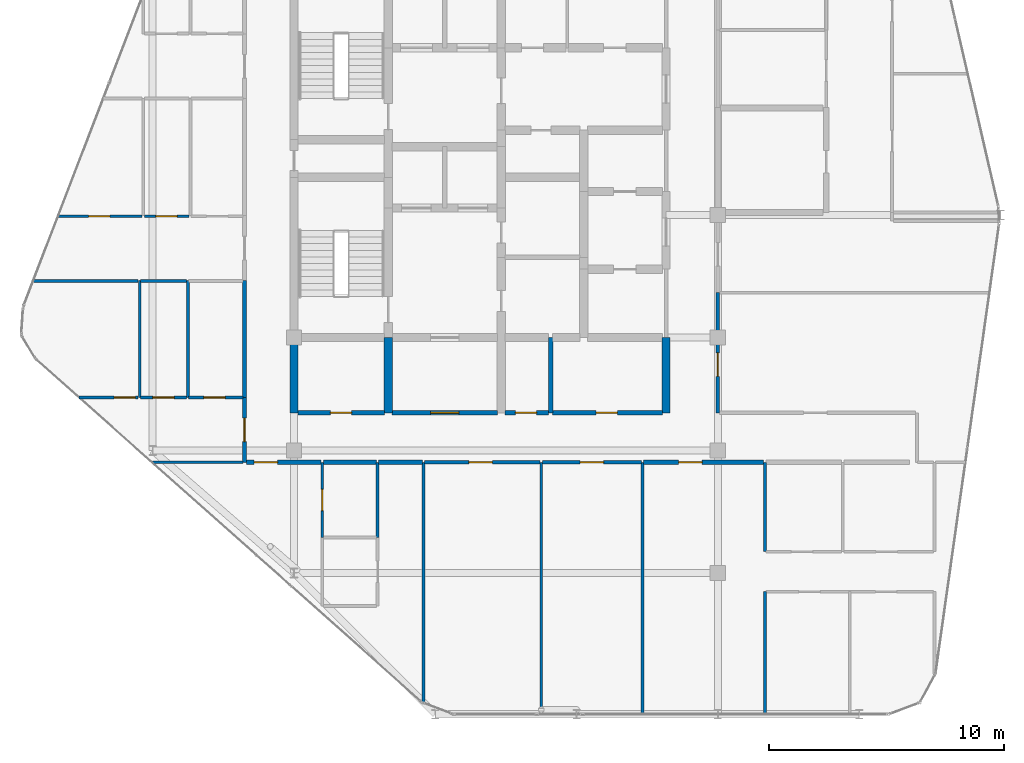
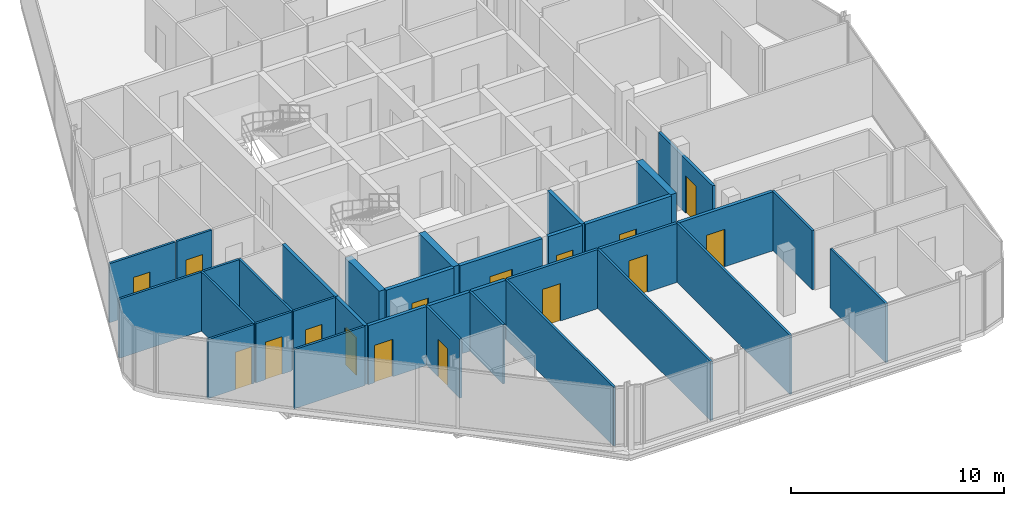
# One storey, part 22 of 27: 34 walls, 16 doors, 16 openings.
"""IFC4 building model written with IfcOpenShell, lengths in metres."""

import ifcopenshell
import ifcopenshell.guid

model = None  # the IFC model being written
_history = None  # IfcOwnerHistory: only IFC2X3 demands one
_inside = {}  # id of a spatial element -> (the spatial element, [elements in it])
_under = {}  # id of a project, library or spatial element -> (it, [spatial elements below it])
_declared = {}  # id of a project -> (the project, [libraries it declares])
_typed = {}  # id of a type object -> (the type object, [elements of that type])
_made_of = {}  # id of a material, layer set ... -> (it, [elements and type objects made of it])


def new_model(schema):
    """Start an empty IFC model of exactly this schema.

    Asked for "IFC4X3", IfcOpenShell would pick the latest addendum, in which some entities
    have other attributes; the version numbers below select the first issue.
    IFC2X3 requires an IfcOwnerHistory on every rooted entity: one is made here for all.
    """
    global model, _history
    if schema == "IFC4X3":
        model = ifcopenshell.file(schema_version=(4, 3, 0, 0))
    else:
        model = ifcopenshell.file(schema=schema)
    _inside.clear()
    _under.clear()
    _declared.clear()
    _typed.clear()
    _made_of.clear()
    _history = None
    if model.schema == "IFC2X3":
        org = make("IfcOrganization", Name="unknown")
        user = make(
            "IfcPersonAndOrganization",
            ThePerson=make("IfcPerson", FamilyName="unknown"),
            TheOrganization=org,
        )
        app = make(
            "IfcApplication",
            ApplicationDeveloper=org,
            Version="unknown",
            ApplicationFullName="unknown",
            ApplicationIdentifier="unknown",
        )
        _history = make(
            "IfcOwnerHistory",
            OwningUser=user,
            OwningApplication=app,
            ChangeAction="ADDED",
            CreationDate=0,
        )
    return model


def make(cls, **values):
    """One entity of the class cls with the attributes given. An attribute that is None is left unset."""
    return model.create_entity(
        cls, **{name: value for name, value in values.items() if value is not None}
    )


def rooted(cls, **values):
    """An entity with a GlobalId (a new one), such as an element, a storey or a relation."""
    return make(cls, GlobalId=ifcopenshell.guid.new(), OwnerHistory=_history, **values)


def si_unit(unit_type, name, prefix=None):
    """IfcSIUnit, for example si_unit("LENGTHUNIT", "METRE", prefix="MILLI")."""
    return make("IfcSIUnit", UnitType=unit_type, Prefix=prefix, Name=name)


def assignment(units):
    """IfcUnitAssignment: the units of a project."""
    return None if units is None else make("IfcUnitAssignment", Units=units)


def point(xyz):
    """IfcCartesianPoint."""
    return None if xyz is None else make("IfcCartesianPoint", Coordinates=xyz)


def direction(xyz):
    """IfcDirection."""
    return None if xyz is None else make("IfcDirection", DirectionRatios=xyz)


def frame(location, z_axis=None, x_axis=None):
    """IfcAxis2Placement3D, a coordinate frame: its origin and axes. An axis left out is left unset."""
    return make(
        "IfcAxis2Placement3D",
        Location=point(location),
        Axis=direction(z_axis),
        RefDirection=direction(x_axis),
    )


def frame_2d(location, x_axis=None):
    """IfcAxis2Placement2D, a coordinate frame in the plane: its origin and x axis."""
    return make(
        "IfcAxis2Placement2D", Location=point(location), RefDirection=direction(x_axis)
    )


def origin():
    """The frame at (0, 0, 0) with its axes left unset."""
    return frame((0.0, 0.0, 0.0))


def place(relative_to, where):
    """IfcLocalPlacement: puts the frame where relative to a parent placement (None: the world)."""
    return make(
        "IfcLocalPlacement", PlacementRelTo=relative_to, RelativePlacement=where
    )


def context(
    kind, dimensions, precision=None, world=None, true_north=None, identifier=None
):
    """IfcGeometricRepresentationContext, for example the 3D "Model" context."""
    return make(
        "IfcGeometricRepresentationContext",
        ContextIdentifier=identifier,
        ContextType=kind,
        CoordinateSpaceDimension=dimensions,
        Precision=precision,
        WorldCoordinateSystem=world,
        TrueNorth=true_north,
    )


def subcontext(parent, identifier, kind, view, scale=None):
    """IfcGeometricRepresentationSubContext, for example "Body" below "Model"."""
    return make(
        "IfcGeometricRepresentationSubContext",
        ContextIdentifier=identifier,
        ContextType=kind,
        ParentContext=parent,
        TargetScale=scale,
        TargetView=view,
    )


def project(units=None, contexts=None):
    """IfcProject with its units and contexts."""
    return rooted(
        "IfcProject",
        Name="project",
        RepresentationContexts=contexts,
        UnitsInContext=assignment(units),
    )


def spatial(cls, under=None, at=None, **own):
    """A site, building, storey or space (cls), placed at a placement, below another one or the project."""
    s = rooted(cls, ObjectPlacement=at, **own)
    if under is not None:
        _under.setdefault(under.id(), (under, []))[1].append(s)
    return s


def profile(cls, at=None, kind="AREA", **sizes):
    """A parametric profile (cls). Its sizes go by their IFC names, for example OverallWidth=200.0."""
    return make(cls, ProfileType=kind, Position=at, **sizes)


def rectangle(**sizes):
    """IfcRectangleProfileDef."""
    return profile("IfcRectangleProfileDef", **sizes)


def extrude(swept, where, along, depth):
    """IfcExtrudedAreaSolid: the profile swept, set in the frame where, extruded along a direction by depth."""
    return make(
        "IfcExtrudedAreaSolid",
        SweptArea=swept,
        Position=where,
        ExtrudedDirection=direction(along),
        Depth=depth,
    )


def shape(context_of_items, identifier, shape_type, items):
    """IfcShapeRepresentation: the items that make up one representation, for example the "Body"."""
    return make(
        "IfcShapeRepresentation",
        ContextOfItems=context_of_items,
        RepresentationIdentifier=identifier,
        RepresentationType=shape_type,
        Items=items,
    )


def material(Name=None, Category=None):
    """IfcMaterial."""
    return make("IfcMaterial", Name=Name, Category=Category)


def layer(
    of_material, thickness, ventilated=None, Name=None, Category=None, Priority=None
):
    """IfcMaterialLayer: one layer of a wall or slab, of a material (None: an air gap)."""
    return make(
        "IfcMaterialLayer",
        Material=of_material,
        LayerThickness=thickness,
        IsVentilated=ventilated,
        Name=Name,
        Category=Category,
        Priority=Priority,
    )


def layer_set(layers, Name=None):
    """IfcMaterialLayerSet."""
    return make("IfcMaterialLayerSet", MaterialLayers=layers, LayerSetName=Name)


def made_of(thing, what):
    """Note that an element or type object is made of a material, layer set ...; save() writes the relation."""
    if what is not None:
        _made_of.setdefault(what.id(), (what, []))[1].append(thing)
    return thing


def type_object(cls, material=None, **own):
    """A type object (cls), such as IfcWallType, which elements share."""
    return made_of(rooted(cls, **own), material)


def element(
    cls,
    number,
    at=None,
    inside=None,
    cuts=None,
    type_object=None,
    material=None,
    context=None,
    identifier="Body",
    shape_type=None,
    held_by="IfcProductDefinitionShape",
    body=None,
    shapes=None,
    **own,
):
    """One element of the class cls, such as IfcWall. Its Tag is "e" and its number.

    at: its placement. inside: the storey or other place that contains it. cuts: it is an
    opening in that element (IfcRelVoidsElement). A single representation is given by context,
    identifier, shape_type and body (its items); several are given by shapes. held_by: the class
    of the entity that holds the representations. save() writes the other relations.
    """
    e = rooted(cls, Tag="e%d" % number, ObjectPlacement=at, **own)
    if body is not None:
        shapes = [shape(context, identifier, shape_type, body)]
    if shapes is not None:
        e.Representation = make(held_by, Representations=shapes)
    if inside is not None:
        _inside.setdefault(inside.id(), (inside, []))[1].append(e)
    if cuts is not None:
        rooted(
            "IfcRelVoidsElement", RelatingBuildingElement=cuts, RelatedOpeningElement=e
        )
    if type_object is not None:
        _typed.setdefault(type_object.id(), (type_object, []))[1].append(e)
    return made_of(e, material)


def fill(opening, filler):
    """IfcRelFillsElement: the door or window that sits in an opening."""
    return rooted(
        "IfcRelFillsElement",
        RelatingOpeningElement=opening,
        RelatedBuildingElement=filler,
    )


def aggregate(whole, parts):
    """IfcRelAggregates: a whole, such as a stair, and the parts it consists of."""
    return rooted("IfcRelAggregates", RelatingObject=whole, RelatedObjects=parts)


def save(model, path):
    """Write the relations noted so far, then the file.

    IfcRelAggregates (storeys below a building ...), IfcRelContainedInSpatialStructure (elements
    in a storey), IfcRelDefinesByType, IfcRelAssociatesMaterial and IfcRelDeclares: one each for
    every whole, place, type object, material and project.
    """
    for whole, parts in _under.values():
        aggregate(whole, parts)
    for where, things in _inside.values():
        rooted(
            "IfcRelContainedInSpatialStructure",
            RelatedElements=things,
            RelatingStructure=where,
        )
    for kind, things in _typed.values():
        rooted("IfcRelDefinesByType", RelatedObjects=things, RelatingType=kind)
    for what, things in _made_of.values():
        rooted("IfcRelAssociatesMaterial", RelatedObjects=things, RelatingMaterial=what)
    for by, libraries in _declared.values():
        rooted("IfcRelDeclares", RelatingContext=by, RelatedDefinitions=libraries)
    model.write(path)


model = new_model("IFC4")

# Units and contexts
model_context = context("Model", 3, precision=1e-05, world=origin(), true_north=direction((0.0, 1.0)))
body_context = subcontext(model_context, "Body", "Model", "MODEL_VIEW")
ifc_project = project(units=[si_unit("LENGTHUNIT", "METRE"), si_unit("AREAUNIT", "SQUARE_METRE"), si_unit("VOLUMEUNIT", "CUBIC_METRE"), si_unit("PLANEANGLEUNIT", "RADIAN"), si_unit("MASSUNIT", "GRAM", prefix="KILO")], contexts=[model_context])

# Site, building, storey
site_placement = place(None, origin())
site = spatial("IfcSite", under=ifc_project, at=site_placement, CompositionType="ELEMENT")
building_placement = place(site_placement, origin())
building = spatial("IfcBuilding", under=site, at=building_placement, Name="Keshet Zoharim Tower", CompositionType="ELEMENT")
storey_placement = place(building_placement, frame((0.0, 0.0, 291.699951171875)))
storey = spatial("IfcBuildingStorey", under=building, at=storey_placement, Name="L73", CompositionType="ELEMENT", Elevation=291.699951171875)

# Wall, opening, door
ifc_material_1 = material(Name="Gypsum Plasterboard", Category="gypsum")
ifc_layer_1 = layer(ifc_material_1, 0.14990234375)
ifc_layer_set_1 = layer_set([ifc_layer_1], Name="Gypsum Plasterboard")
wall_type_1 = type_object("IfcWallType", Name="WL-CLIN-150", PredefinedType="STANDARD", material=ifc_layer_set_1)
wall_1_placement = place(storey_placement, frame((33.0, 19.5, 0.0), z_axis=(0.0, 0.0, 1.0), x_axis=(0.0, 1.0, 0.0)))
wall_1 = element("IfcWall", 1, at=wall_1_placement, inside=storey, type_object=wall_type_1, Name="L73 Interior Wall 061", PredefinedType="STANDARD", context=body_context, shape_type="SweptSolid", body=[
    extrude(rectangle(XDim=5.10009765625, YDim=0.14990234375, at=frame_2d((2.550048828125, 0.0))), origin(), (0.0, 0.0, 1.0), 3.10009765625),
])
opening_1_placement = place(wall_1_placement, frame((1.547119140625, 0.0, 0.0)))
opening_1 = element("IfcOpeningElement", 2, at=opening_1_placement, cuts=wall_1, Name="Opening D-F310", PredefinedType="OPENING", context=body_context, shape_type="SweptSolid", body=[
    extrude(rectangle(XDim=1.0, YDim=2.14990234375, at=frame_2d((0.5, 1.074951171875))), frame((0.0, 0.0849609375, 0.0), z_axis=(0.0, -1.0, 0.0), x_axis=(1.0, 0.0, 0.0)), (0.0, 0.0, 1.0), 0.169921875),
])
ifc_material_2 = material(Name="Hardwood Timber", Category="wood")
door_type_1 = type_object("IfcDoorType", Name="DR-FD30-100", OperationType="NOTDEFINED", PredefinedType="DOOR", material=ifc_material_2)
door_1_placement = place(opening_1_placement, origin())
door_1 = element("IfcDoor", 3, at=door_1_placement, inside=storey, type_object=door_type_1, Name="L73 South West Residents Services Suite Door 2", OperationType="SINGLE_SWING_RIGHT", OverallHeight=2.14990234375, OverallWidth=1.0, PredefinedType="DOOR", context=body_context, shape_type="SweptSolid", body=[
    extrude(rectangle(XDim=1.0, YDim=2.14990234375, at=frame_2d((0.5, 1.074951171875))), frame((0.0, 0.02490234375, 0.0), z_axis=(0.0, -1.0, 0.0), x_axis=(1.0, 0.0, 0.0)), (0.0, 0.0, 1.0), 0.050048828125),
])
fill(opening_1, door_1)

wall_2_placement = place(storey_placement, frame((20.544921875, 17.39990234375, 0.0), z_axis=(0.0, 0.0, 1.0), x_axis=(1.0, 0.0, 0.0)))
wall_2 = element("IfcWall", 4, at=wall_2_placement, inside=storey, type_object=wall_type_1, Name="L73 Interior Wall 094", PredefinedType="STANDARD", context=body_context, shape_type="SweptSolid", body=[
    extrude(rectangle(XDim=4.91015625, YDim=0.14990234375, at=frame_2d((2.455078125, 0.0))), origin(), (0.0, 0.0, 1.0), 3.39013671875),
])
opening_2_placement = place(wall_2_placement, frame((1.884033203125, 0.0, 0.0)))
opening_2 = element("IfcOpeningElement", 5, at=opening_2_placement, cuts=wall_2, Name="Opening D-F310", PredefinedType="OPENING", context=body_context, shape_type="SweptSolid", body=[
    extrude(rectangle(XDim=1.0, YDim=2.14990234375, at=frame_2d((0.5, 1.074951171875))), frame((0.0, 0.0849609375, 0.0), z_axis=(0.0, -1.0, 0.0), x_axis=(1.0, 0.0, 0.0)), (0.0, 0.0, 1.0), 0.169921875),
])
door_2_placement = place(opening_2_placement, origin())
door_2 = element("IfcDoor", 6, at=door_2_placement, inside=storey, type_object=door_type_1, Name="L73 Residents Fitness Studio Door", OperationType="SINGLE_SWING_RIGHT", OverallHeight=2.14990234375, OverallWidth=1.0, PredefinedType="DOOR", context=body_context, shape_type="SweptSolid", body=[
    extrude(rectangle(XDim=1.0, YDim=2.14990234375, at=frame_2d((0.5, 1.074951171875))), frame((0.0, 0.02490234375, 0.0), z_axis=(0.0, -1.0, 0.0), x_axis=(1.0, 0.0, 0.0)), (0.0, 0.0, 1.0), 0.050048828125),
])
fill(opening_2, door_2)

wall_3_placement = place(storey_placement, frame((25.544921875, 17.39990234375, 0.0), z_axis=(0.0, 0.0, 1.0), x_axis=(1.0, 0.0, 0.0)))
wall_3 = element("IfcWall", 7, at=wall_3_placement, inside=storey, type_object=wall_type_1, Name="L73 Interior Wall 095", PredefinedType="STANDARD", context=body_context, shape_type="SweptSolid", body=[
    extrude(rectangle(XDim=4.2099609375, YDim=0.14990234375, at=frame_2d((2.10498046875, 0.0))), origin(), (0.0, 0.0, 1.0), 3.39013671875),
])
opening_3_placement = place(wall_3_placement, frame((1.60498046875, 0.0, 0.0)))
opening_3 = element("IfcOpeningElement", 8, at=opening_3_placement, cuts=wall_3, Name="Opening D-F310", PredefinedType="OPENING", context=body_context, shape_type="SweptSolid", body=[
    extrude(rectangle(XDim=1.0, YDim=2.14990234375, at=frame_2d((0.5, 1.074951171875))), frame((0.0, 0.0849609375, 0.0), z_axis=(0.0, -1.0, 0.0), x_axis=(1.0, 0.0, 0.0)), (0.0, 0.0, 1.0), 0.169921875),
])
door_3_placement = place(opening_3_placement, origin())
door_3 = element("IfcDoor", 9, at=door_3_placement, inside=storey, type_object=door_type_1, Name="L73 Residents Reading Office Door", OperationType="SINGLE_SWING_LEFT", OverallHeight=2.14990234375, OverallWidth=1.0, PredefinedType="DOOR", context=body_context, shape_type="SweptSolid", body=[
    extrude(rectangle(XDim=1.0, YDim=2.14990234375, at=frame_2d((0.5, 1.074951171875))), frame((0.0, 0.02490234375, 0.0), z_axis=(0.0, -1.0, 0.0), x_axis=(1.0, 0.0, 0.0)), (0.0, 0.0, 1.0), 0.050048828125),
])
fill(opening_3, door_3)

# Walls
ifc_material_3 = material(Name="Concrete C60/75", Category="concrete")
ifc_layer_2 = layer(ifc_material_3, 0.35009765625)
ifc_layer_set_2 = layer_set([ifc_layer_2], Name="Concrete C60/75")
wall_type_2 = type_object("IfcWallType", Name="WL-CORE-350", PredefinedType="SHEAR", material=ifc_layer_set_2)
for number, where, z_axis, x_axis, name in (
    (10, (15.0, 19.5, 0.0), (0.0, 0.0, 1.0), (0.0, 1.0, 0.0), "L73 Core Shear Wall 013"),
    (11, (19.0, 19.5, 0.0), (0.0, 0.0, 1.0), (0.0, 1.0, 0.0), "L73 Core Shear Wall 023"),
    (12, (30.800048828125, 19.5, 0.0), (0.0, 0.0, 1.0), (0.0, 1.0, 0.0), "L73 Core Shear Wall 054"),
):
    element("IfcWall", number, at=place(storey_placement, frame(where, z_axis=z_axis, x_axis=x_axis)), inside=storey, type_object=wall_type_2, Name=name, PredefinedType="SHEAR", context=body_context, shape_type="SweptSolid", body=[
        extrude(rectangle(XDim=3.199951171875, YDim=0.35009765625, at=frame_2d((1.60009765625, 0.0))), origin(), (0.0, 0.0, 1.0), 3.39013671875),
    ])

# Wall, opening, door
ifc_layer_3 = layer(ifc_material_1, 0.179931640625)
ifc_layer_set_3 = layer_set([ifc_layer_3], Name="Gypsum Plasterboard")
wall_type_3 = type_object("IfcWallType", Name="WL-CORR-180", PredefinedType="STANDARD", material=ifc_layer_set_3)
wall_4_placement = place(storey_placement, frame((12.89990234375, 17.39990234375, 0.0), z_axis=(0.0, 0.0, 1.0), x_axis=(0.0, 1.0, 0.0)))
wall_4 = element("IfcWall", 13, at=wall_4_placement, inside=storey, type_object=wall_type_3, Name="L73 Interior Wall 007", PredefinedType="STANDARD", context=body_context, shape_type="SweptSolid", body=[
    extrude(rectangle(XDim=2.75, YDim=0.179931640625, at=frame_2d((1.375, 0.0))), origin(), (0.0, 0.0, 1.0), 3.39013671875),
])
opening_4_placement = place(wall_4_placement, frame((0.875, 0.0, 0.0)))
opening_4 = element("IfcOpeningElement", 14, at=opening_4_placement, cuts=wall_4, Name="Opening D-F310", PredefinedType="OPENING", context=body_context, shape_type="SweptSolid", body=[
    extrude(rectangle(XDim=1.0, YDim=2.14990234375, at=frame_2d((0.5, 1.074951171875))), frame((0.0, 0.10009765625, 0.0), z_axis=(0.0, -1.0, 0.0), x_axis=(1.0, 0.0, 0.0)), (0.0, 0.0, 1.0), 0.199951171875),
])
door_4_placement = place(opening_4_placement, origin())
door_4 = element("IfcDoor", 15, at=door_4_placement, inside=storey, type_object=door_type_1, Name="Apartment 7305 Entrance Door", OperationType="SINGLE_SWING_LEFT", OverallHeight=2.14990234375, OverallWidth=1.0, PredefinedType="DOOR", context=body_context, shape_type="SweptSolid", body=[
    extrude(rectangle(XDim=1.0, YDim=2.14990234375, at=frame_2d((0.5, 1.074951171875))), frame((0.0, 0.02490234375, 0.0), z_axis=(0.0, -1.0, 0.0), x_axis=(1.0, 0.0, 0.0)), (0.0, 0.0, 1.0), 0.050048828125),
])
fill(opening_4, door_4)

# Wall
wall_5_placement = place(storey_placement, frame((12.89990234375, 20.14990234375, 0.0), z_axis=(0.0, 0.0, 1.0), x_axis=(0.0, 1.0, 0.0)))
element("IfcWall", 16, at=wall_5_placement, inside=storey, type_object=wall_type_3, Name="L73 Interior Wall 008", PredefinedType="STANDARD", context=body_context, shape_type="SweptSolid", body=[
    extrude(rectangle(XDim=4.97021484375, YDim=0.179931640625, at=frame_2d((2.485107421875, 0.0))), origin(), (0.0, 0.0, 1.0), 3.39013671875),
])

# Wall, opening, door
wall_6_placement = place(storey_placement, frame((12.97509765625, 17.39990234375, 0.0), z_axis=(0.0, 0.0, 1.0), x_axis=(1.0, 0.0, 0.0)))
wall_6 = element("IfcWall", 17, at=wall_6_placement, inside=storey, type_object=wall_type_3, Name="L73 Interior Wall 091", PredefinedType="STANDARD", context=body_context, shape_type="SweptSolid", body=[
    extrude(rectangle(XDim=3.179931640625, YDim=0.179931640625, at=frame_2d((1.58984375, 0.0))), origin(), (0.0, 0.0, 1.0), 3.39013671875),
])
opening_5_placement = place(wall_6_placement, frame((0.33203125, 0.0, 0.0)))
opening_5 = element("IfcOpeningElement", 18, at=opening_5_placement, cuts=wall_6, Name="Opening D-F310", PredefinedType="OPENING", context=body_context, shape_type="SweptSolid", body=[
    extrude(rectangle(XDim=1.0, YDim=2.14990234375, at=frame_2d((0.5, 1.074951171875))), frame((0.0, 0.10009765625, 0.0), z_axis=(0.0, -1.0, 0.0), x_axis=(1.0, 0.0, 0.0)), (0.0, 0.0, 1.0), 0.199951171875),
])
door_5_placement = place(opening_5_placement, origin())
door_5 = element("IfcDoor", 19, at=door_5_placement, inside=storey, type_object=door_type_1, Name="Apartment 7301 Entrance Door", OperationType="SINGLE_SWING_LEFT", OverallHeight=2.14990234375, OverallWidth=1.0, PredefinedType="DOOR", context=body_context, shape_type="SweptSolid", body=[
    extrude(rectangle(XDim=1.0, YDim=2.14990234375, at=frame_2d((0.5, 1.074951171875))), frame((0.0, 0.02490234375, 0.0), z_axis=(0.0, -1.0, 0.0), x_axis=(1.0, 0.0, 0.0)), (0.0, 0.0, 1.0), 0.050048828125),
])
fill(opening_5, door_5)

# Walls
wall_7_placement = place(storey_placement, frame((16.2451171875, 17.39990234375, 0.0), z_axis=(0.0, 0.0, 1.0), x_axis=(1.0, 0.0, 0.0)))
element("IfcWall", 20, at=wall_7_placement, inside=storey, type_object=wall_type_3, Name="L73 Interior Wall 092", PredefinedType="STANDARD", context=body_context, shape_type="SweptSolid", body=[
    extrude(rectangle(XDim=2.259765625, YDim=0.179931640625, at=frame_2d((1.1298828125, 0.0))), origin(), (0.0, 0.0, 1.0), 3.39013671875),
])
wall_8_placement = place(storey_placement, frame((18.594970703125, 17.39990234375, 0.0), z_axis=(0.0, 0.0, 1.0), x_axis=(1.0, 0.0, 0.0)))
element("IfcWall", 21, at=wall_8_placement, inside=storey, type_object=wall_type_3, Name="L73 Interior Wall 093", PredefinedType="STANDARD", context=body_context, shape_type="SweptSolid", body=[
    extrude(rectangle(XDim=1.860107421875, YDim=0.179931640625, at=frame_2d((0.93017578125, 0.0))), origin(), (0.0, 0.0, 1.0), 3.39013671875),
])

# Wall, opening, door
wall_9_placement = place(storey_placement, frame((29.844970703125, 17.39990234375, 0.0), z_axis=(0.0, 0.0, 1.0), x_axis=(1.0, 0.0, 0.0)))
wall_9 = element("IfcWall", 22, at=wall_9_placement, inside=storey, type_object=wall_type_3, Name="L73 Interior Wall 096", PredefinedType="STANDARD", context=body_context, shape_type="SweptSolid", body=[
    extrude(rectangle(XDim=5.10009765625, YDim=0.179931640625, at=frame_2d((2.550048828125, 0.0))), origin(), (0.0, 0.0, 1.0), 3.39013671875),
])
opening_6_placement = place(wall_9_placement, frame((1.48291015625, 0.0, 0.0)))
opening_6 = element("IfcOpeningElement", 23, at=opening_6_placement, cuts=wall_9, Name="Opening D-F310", PredefinedType="OPENING", context=body_context, shape_type="SweptSolid", body=[
    extrude(rectangle(XDim=1.0, YDim=2.14990234375, at=frame_2d((0.5, 1.074951171875))), frame((0.0, 0.10009765625, 0.0), z_axis=(0.0, -1.0, 0.0), x_axis=(1.0, 0.0, 0.0)), (0.0, 0.0, 1.0), 0.199951171875),
])
door_6_placement = place(opening_6_placement, origin())
door_6 = element("IfcDoor", 24, at=door_6_placement, inside=storey, type_object=door_type_1, Name="Apartment 7302 Entrance Door", OperationType="SINGLE_SWING_RIGHT", OverallHeight=2.14990234375, OverallWidth=1.0, PredefinedType="DOOR", context=body_context, shape_type="SweptSolid", body=[
    extrude(rectangle(XDim=1.0, YDim=2.14990234375, at=frame_2d((0.5, 1.074951171875))), frame((0.0, 0.02490234375, 0.0), z_axis=(0.0, -1.0, 0.0), x_axis=(1.0, 0.0, 0.0)), (0.0, 0.0, 1.0), 0.050048828125),
])
fill(opening_6, door_6)

# Wall
ifc_material_4 = material(Name="Concrete C50/60", Category="concrete")
ifc_layer_4 = layer(ifc_material_4, 0.199951171875)
ifc_layer_set_4 = layer_set([ifc_layer_4], Name="Concrete C50/60")
wall_type_4 = type_object("IfcWallType", Name="WL-FIRE-200", PredefinedType="STANDARD", material=ifc_layer_set_4)
wall_10_placement = place(storey_placement, frame((25.89990234375, 19.5, 0.0), z_axis=(0.0, 0.0, 1.0), x_axis=(0.0, 1.0, 0.0)))
element("IfcWall", 25, at=wall_10_placement, inside=storey, type_object=wall_type_4, Name="L73 Interior Wall 043", PredefinedType="STANDARD", context=body_context, shape_type="SweptSolid", body=[
    extrude(rectangle(XDim=3.199951171875, YDim=0.199951171875, at=frame_2d((1.60009765625, 0.0))), origin(), (0.0, 0.0, 1.0), 3.39013671875),
])

# Wall, opening, door
wall_11_placement = place(storey_placement, frame((15.159912109375, 19.5, 0.0), z_axis=(0.0, 0.0, 1.0), x_axis=(1.0, 0.0, 0.0)))
wall_11 = element("IfcWall", 26, at=wall_11_placement, inside=storey, type_object=wall_type_4, Name="L73 Interior Wall 101", PredefinedType="STANDARD", context=body_context, shape_type="SweptSolid", body=[
    extrude(rectangle(XDim=3.68017578125, YDim=0.199951171875, at=frame_2d((1.840087890625, 0.0))), origin(), (0.0, 0.0, 1.0), 3.39013671875),
])
opening_7_placement = place(wall_11_placement, frame((1.389892578125, 0.0, 0.0)))
opening_7 = element("IfcOpeningElement", 27, at=opening_7_placement, cuts=wall_11, Name="Opening D-F690", PredefinedType="OPENING", context=body_context, shape_type="SweptSolid", body=[
    extrude(rectangle(XDim=0.89990234375, YDim=2.14990234375, at=frame_2d((0.449951171875, 1.074951171875))), frame((0.0, 0.10986328125, 0.0), z_axis=(0.0, -1.0, 0.0), x_axis=(1.0, 0.0, 0.0)), (0.0, 0.0, 1.0), 0.219970703125),
])
door_type_2 = type_object("IfcDoorType", Name="DR-FD60-090", OperationType="NOTDEFINED", PredefinedType="DOOR", material=ifc_material_2)
door_7_placement = place(opening_7_placement, origin())
door_7 = element("IfcDoor", 28, at=door_7_placement, inside=storey, type_object=door_type_2, Name="L73 Refuse Room Door", OperationType="SINGLE_SWING_LEFT", OverallHeight=2.14990234375, OverallWidth=0.89990234375, PredefinedType="DOOR", context=body_context, shape_type="SweptSolid", body=[
    extrude(rectangle(XDim=0.89990234375, YDim=2.14990234375, at=frame_2d((0.449951171875, 1.074951171875))), frame((0.0, 0.02490234375, 0.0), z_axis=(0.0, -1.0, 0.0), x_axis=(1.0, 0.0, 0.0)), (0.0, 0.0, 1.0), 0.050048828125),
])
fill(opening_7, door_7)

wall_12_placement = place(storey_placement, frame((19.159912109375, 19.5, 0.0), z_axis=(0.0, 0.0, 1.0), x_axis=(1.0, 0.0, 0.0)))
wall_12 = element("IfcWall", 29, at=wall_12_placement, inside=storey, type_object=wall_type_4, Name="L73 Interior Wall 102", PredefinedType="STANDARD", context=body_context, shape_type="SweptSolid", body=[
    extrude(rectangle(XDim=4.47998046875, YDim=0.199951171875, at=frame_2d((2.239990234375, 0.0))), origin(), (0.0, 0.0, 1.0), 3.39013671875),
])
opening_8_placement = place(wall_12_placement, frame((1.639892578125, 0.0, 0.0)))
opening_8 = element("IfcOpeningElement", 30, at=opening_8_placement, cuts=wall_12, Name="Opening D-F612", PredefinedType="OPENING", context=body_context, shape_type="SweptSolid", body=[
    extrude(rectangle(XDim=1.199951171875, YDim=2.199951171875, at=frame_2d((0.60009765625, 1.10009765625))), frame((0.0, 0.10986328125, 0.0), z_axis=(0.0, -1.0, 0.0), x_axis=(1.0, 0.0, 0.0)), (0.0, 0.0, 1.0), 0.219970703125),
])
door_type_3 = type_object("IfcDoorType", Name="DR-FD60-120", OperationType="NOTDEFINED", PredefinedType="DOOR", material=ifc_material_2)
door_8_placement = place(opening_8_placement, origin())
door_8 = element("IfcDoor", 31, at=door_8_placement, inside=storey, type_object=door_type_3, Name="L73 South Vestibule Corridor Door", OperationType="SINGLE_SWING_RIGHT", OverallHeight=2.199951171875, OverallWidth=1.199951171875, PredefinedType="DOOR", context=body_context, shape_type="SweptSolid", body=[
    extrude(rectangle(XDim=1.199951171875, YDim=2.199951171875, at=frame_2d((0.60009765625, 1.10009765625))), frame((0.0, 0.02490234375, 0.0), z_axis=(0.0, -1.0, 0.0), x_axis=(1.0, 0.0, 0.0)), (0.0, 0.0, 1.0), 0.050048828125),
])
fill(opening_8, door_8)

wall_13_placement = place(storey_placement, frame((23.9599609375, 19.5, 0.0), z_axis=(0.0, 0.0, 1.0), x_axis=(1.0, 0.0, 0.0)))
wall_13 = element("IfcWall", 32, at=wall_13_placement, inside=storey, type_object=wall_type_4, Name="L73 Interior Wall 103", PredefinedType="STANDARD", context=body_context, shape_type="SweptSolid", body=[
    extrude(rectangle(XDim=1.85498046875, YDim=0.199951171875, at=frame_2d((0.927490234375, 0.0))), origin(), (0.0, 0.0, 1.0), 3.39013671875),
])
opening_9_placement = place(wall_13_placement, frame((0.43994140625, 0.0, 0.0)))
opening_9 = element("IfcOpeningElement", 33, at=opening_9_placement, cuts=wall_13, Name="Opening D-F690", PredefinedType="OPENING", context=body_context, shape_type="SweptSolid", body=[
    extrude(rectangle(XDim=0.89990234375, YDim=2.14990234375, at=frame_2d((0.449951171875, 1.074951171875))), frame((0.0, 0.10986328125, 0.0), z_axis=(0.0, -1.0, 0.0), x_axis=(1.0, 0.0, 0.0)), (0.0, 0.0, 1.0), 0.219970703125),
])
door_9_placement = place(opening_9_placement, origin())
door_9 = element("IfcDoor", 34, at=door_9_placement, inside=storey, type_object=door_type_2, Name="L73 Cleaners Store Door", OperationType="SINGLE_SWING_LEFT", OverallHeight=2.14990234375, OverallWidth=0.89990234375, PredefinedType="DOOR", context=body_context, shape_type="SweptSolid", body=[
    extrude(rectangle(XDim=0.89990234375, YDim=2.14990234375, at=frame_2d((0.449951171875, 1.074951171875))), frame((0.0, 0.02490234375, 0.0), z_axis=(0.0, -1.0, 0.0), x_axis=(1.0, 0.0, 0.0)), (0.0, 0.0, 1.0), 0.050048828125),
])
fill(opening_9, door_9)

wall_14_placement = place(storey_placement, frame((25.985107421875, 19.5, 0.0), z_axis=(0.0, 0.0, 1.0), x_axis=(1.0, 0.0, 0.0)))
wall_14 = element("IfcWall", 35, at=wall_14_placement, inside=storey, type_object=wall_type_4, Name="L73 Interior Wall 104", PredefinedType="STANDARD", context=body_context, shape_type="SweptSolid", body=[
    extrude(rectangle(XDim=4.65478515625, YDim=0.199951171875, at=frame_2d((2.327392578125, 0.0))), origin(), (0.0, 0.0, 1.0), 3.39013671875),
])
opening_10_placement = place(wall_14_placement, frame((1.844970703125, 0.0, 0.0)))
opening_10 = element("IfcOpeningElement", 36, at=opening_10_placement, cuts=wall_14, Name="Opening D-F690", PredefinedType="OPENING", context=body_context, shape_type="SweptSolid", body=[
    extrude(rectangle(XDim=0.89990234375, YDim=2.14990234375, at=frame_2d((0.449951171875, 1.074951171875))), frame((0.0, 0.10986328125, 0.0), z_axis=(0.0, -1.0, 0.0), x_axis=(1.0, 0.0, 0.0)), (0.0, 0.0, 1.0), 0.219970703125),
])
door_10_placement = place(opening_10_placement, origin())
door_10 = element("IfcDoor", 37, at=door_10_placement, inside=storey, type_object=door_type_2, Name="L73 Meter Room Door", OperationType="SINGLE_SWING_RIGHT", OverallHeight=2.14990234375, OverallWidth=0.89990234375, PredefinedType="DOOR", context=body_context, shape_type="SweptSolid", body=[
    extrude(rectangle(XDim=0.89990234375, YDim=2.14990234375, at=frame_2d((0.449951171875, 1.074951171875))), frame((0.0, 0.02490234375, 0.0), z_axis=(0.0, -1.0, 0.0), x_axis=(1.0, 0.0, 0.0)), (0.0, 0.0, 1.0), 0.050048828125),
])
fill(opening_10, door_10)

# Wall
ifc_layer_5 = layer(ifc_material_1, 0.1201171875)
ifc_layer_set_5 = layer_set([ifc_layer_5], Name="Gypsum Plasterboard")
wall_type_5 = type_object("IfcWallType", Name="WL-PART-120", PredefinedType="PARTITIONING", material=ifc_layer_set_5)
wall_15_placement = place(storey_placement, frame((8.449951171875, 20.14990234375, 0.0), z_axis=(0.0, 0.0, 1.0), x_axis=(0.0, 1.0, 0.0)))
element("IfcWall", 38, at=wall_15_placement, inside=storey, type_object=wall_type_5, Name="L73 Interior Wall 001", PredefinedType="PARTITIONING", context=body_context, shape_type="SweptSolid", body=[
    extrude(rectangle(XDim=4.97021484375, YDim=0.1201171875, at=frame_2d((2.485107421875, 0.0))), origin(), (0.0, 0.0, 1.0), 3.39013671875),
])

# Wall, opening, door
wall_16_placement = place(storey_placement, frame((16.199951171875, 14.199951171875, 0.0), z_axis=(0.0, 0.0, 1.0), x_axis=(0.0, 1.0, 0.0)))
wall_16 = element("IfcWall", 39, at=wall_16_placement, inside=storey, type_object=wall_type_5, Name="L73 Interior Wall 018", PredefinedType="PARTITIONING", context=body_context, shape_type="SweptSolid", body=[
    extrude(rectangle(XDim=3.199951171875, YDim=0.1201171875, at=frame_2d((1.60009765625, 0.0))), origin(), (0.0, 0.0, 1.0), 3.39013671875),
])
opening_11_placement = place(wall_16_placement, frame((1.14990234375, 0.0, 0.0)))
opening_11 = element("IfcOpeningElement", 40, at=opening_11_placement, cuts=wall_16, Name="Opening D-IN90", PredefinedType="OPENING", context=body_context, shape_type="SweptSolid", body=[
    extrude(rectangle(XDim=0.89990234375, YDim=2.14990234375, at=frame_2d((0.449951171875, 1.074951171875))), frame((0.0, 0.070068359375, 0.0), z_axis=(0.0, -1.0, 0.0), x_axis=(1.0, 0.0, 0.0)), (0.0, 0.0, 1.0), 0.14013671875),
])
door_type_4 = type_object("IfcDoorType", Name="DR-INT-090", OperationType="NOTDEFINED", PredefinedType="DOOR", material=ifc_material_2)
door_11_placement = place(opening_11_placement, origin())
door_11 = element("IfcDoor", 41, at=door_11_placement, inside=storey, type_object=door_type_4, Name="Apartment 7301 Kitchenette Door", OperationType="SINGLE_SWING_LEFT", OverallHeight=2.14990234375, OverallWidth=0.89990234375, PredefinedType="DOOR", context=body_context, shape_type="SweptSolid", body=[
    extrude(rectangle(XDim=0.89990234375, YDim=2.14990234375, at=frame_2d((0.449951171875, 1.074951171875))), frame((0.0, 0.02490234375, 0.0), z_axis=(0.0, -1.0, 0.0), x_axis=(1.0, 0.0, 0.0)), (0.0, 0.0, 1.0), 0.050048828125),
])
fill(opening_11, door_11)

# Walls
wall_17_placement = place(storey_placement, frame((18.550048828125, 14.199951171875, 0.0), z_axis=(0.0, 0.0, 1.0), x_axis=(0.0, 1.0, 0.0)))
element("IfcWall", 42, at=wall_17_placement, inside=storey, type_object=wall_type_5, Name="L73 Interior Wall 022", PredefinedType="PARTITIONING", context=body_context, shape_type="SweptSolid", body=[
    extrude(rectangle(XDim=3.199951171875, YDim=0.1201171875, at=frame_2d((1.60009765625, 0.0))), origin(), (0.0, 0.0, 1.0), 3.39013671875),
])
wall_18_placement = place(storey_placement, frame((20.5, 7.18896484375, 0.0), z_axis=(0.0, 0.0, 1.0), x_axis=(0.0, 1.0, 0.0)))
element("IfcWall", 43, at=wall_18_placement, inside=storey, type_object=wall_type_5, Name="L73 Interior Wall 030", PredefinedType="PARTITIONING", context=body_context, shape_type="SweptSolid", body=[
    extrude(rectangle(XDim=10.2109375, YDim=0.1201171875, at=frame_2d((5.10546875, 0.0))), origin(), (0.0, 0.0, 1.0), 3.39013671875),
])
for number, where, z_axis, x_axis, name in (
    (44, (25.5, 6.7099609375, 0.0), (0.0, 0.0, 1.0), (0.0, 1.0, 0.0), "L73 Interior Wall 042"),
    (45, (29.800048828125, 6.7099609375, 0.0), (0.0, 0.0, 1.0), (0.0, 1.0, 0.0), "L73 Interior Wall 052"),
):
    element("IfcWall", number, at=place(storey_placement, frame(where, z_axis=z_axis, x_axis=x_axis)), inside=storey, type_object=wall_type_5, Name=name, PredefinedType="PARTITIONING", context=body_context, shape_type="SweptSolid", body=[
        extrude(rectangle(XDim=10.68994140625, YDim=0.1201171875, at=frame_2d((5.344970703125, 0.0))), origin(), (0.0, 0.0, 1.0), 3.39013671875),
    ])
wall_19_placement = place(storey_placement, frame((35.0, 6.7099609375, 0.0), z_axis=(0.0, 0.0, 1.0), x_axis=(0.0, 1.0, 0.0)))
element("IfcWall", 46, at=wall_19_placement, inside=storey, type_object=wall_type_5, Name="L73 Interior Wall 068", PredefinedType="PARTITIONING", context=body_context, shape_type="SweptSolid", body=[
    extrude(rectangle(XDim=5.2099609375, YDim=0.1201171875, at=frame_2d((2.60498046875, 0.0))), origin(), (0.0, 0.0, 1.0), 3.39013671875),
])
wall_20_placement = place(storey_placement, frame((35.0, 13.6201171875, 0.0), z_axis=(0.0, 0.0, 1.0), x_axis=(0.0, 1.0, 0.0)))
element("IfcWall", 47, at=wall_20_placement, inside=storey, type_object=wall_type_5, Name="L73 Interior Wall 069", PredefinedType="PARTITIONING", context=body_context, shape_type="SweptSolid", body=[
    extrude(rectangle(XDim=3.77978515625, YDim=0.1201171875, at=frame_2d((1.889892578125, 0.0))), origin(), (0.0, 0.0, 1.0), 3.39013671875),
])
wall_21_placement = place(storey_placement, frame((8.972900390625, 17.39990234375, 0.0), z_axis=(0.0, 0.0, 1.0), x_axis=(1.0, 0.0, 0.0)))
element("IfcWall", 48, at=wall_21_placement, inside=storey, type_object=wall_type_5, Name="L73 Interior Wall 090", PredefinedType="PARTITIONING", context=body_context, shape_type="SweptSolid", body=[
    extrude(rectangle(XDim=3.85205078125, YDim=0.1201171875, at=frame_2d((1.926025390625, 0.0))), origin(), (0.0, 0.0, 1.0), 3.39013671875),
])

# Wall, opening, door
wall_22_placement = place(storey_placement, frame((5.87890625, 20.14990234375, 0.0), z_axis=(0.0, 0.0, 1.0), x_axis=(1.0, 0.0, 0.0)))
wall_22 = element("IfcWall", 49, at=wall_22_placement, inside=storey, type_object=wall_type_5, Name="L73 Interior Wall 106", PredefinedType="PARTITIONING", context=body_context, shape_type="SweptSolid", body=[
    extrude(rectangle(XDim=2.504150390625, YDim=0.1201171875, at=frame_2d((1.251953125, 0.0))), origin(), (0.0, 0.0, 1.0), 3.39013671875),
])
opening_12_placement = place(wall_22_placement, frame((1.48388671875, 0.0, 0.0)))
opening_12 = element("IfcOpeningElement", 50, at=opening_12_placement, cuts=wall_22, Name="Opening D-IN90", PredefinedType="OPENING", context=body_context, shape_type="SweptSolid", body=[
    extrude(rectangle(XDim=0.89990234375, YDim=2.14990234375, at=frame_2d((0.449951171875, 1.074951171875))), frame((0.0, 0.070068359375, 0.0), z_axis=(0.0, -1.0, 0.0), x_axis=(1.0, 0.0, 0.0)), (0.0, 0.0, 1.0), 0.14013671875),
])
door_12_placement = place(opening_12_placement, origin())
door_12 = element("IfcDoor", 51, at=door_12_placement, inside=storey, type_object=door_type_4, Name="Apartment 7305 Bedroom 1 Door", OperationType="SINGLE_SWING_RIGHT", OverallHeight=2.14990234375, OverallWidth=0.89990234375, PredefinedType="DOOR", context=body_context, shape_type="SweptSolid", body=[
    extrude(rectangle(XDim=0.89990234375, YDim=2.14990234375, at=frame_2d((0.449951171875, 1.074951171875))), frame((0.0, 0.02490234375, 0.0), z_axis=(0.0, -1.0, 0.0), x_axis=(1.0, 0.0, 0.0)), (0.0, 0.0, 1.0), 0.050048828125),
])
fill(opening_12, door_12)

wall_23_placement = place(storey_placement, frame((8.472900390625, 20.14990234375, 0.0), z_axis=(0.0, 0.0, 1.0), x_axis=(1.0, 0.0, 0.0)))
wall_23 = element("IfcWall", 52, at=wall_23_placement, inside=storey, type_object=wall_type_5, Name="L73 Interior Wall 107", PredefinedType="PARTITIONING", context=body_context, shape_type="SweptSolid", body=[
    extrude(rectangle(XDim=1.967041015625, YDim=0.1201171875, at=frame_2d((0.9833984375, 0.0))), origin(), (0.0, 0.0, 1.0), 3.39013671875),
])
opening_13_placement = place(wall_23_placement, frame((0.533935546875, 0.0, 0.0)))
opening_13 = element("IfcOpeningElement", 53, at=opening_13_placement, cuts=wall_23, Name="Opening D-IN90", PredefinedType="OPENING", context=body_context, shape_type="SweptSolid", body=[
    extrude(rectangle(XDim=0.89990234375, YDim=2.14990234375, at=frame_2d((0.449951171875, 1.074951171875))), frame((0.0, 0.070068359375, 0.0), z_axis=(0.0, -1.0, 0.0), x_axis=(1.0, 0.0, 0.0)), (0.0, 0.0, 1.0), 0.14013671875),
])
door_13_placement = place(opening_13_placement, origin())
door_13 = element("IfcDoor", 54, at=door_13_placement, inside=storey, type_object=door_type_4, Name="Apartment 7305 Kitchen Door", OperationType="SINGLE_SWING_LEFT", OverallHeight=2.14990234375, OverallWidth=0.89990234375, PredefinedType="DOOR", context=body_context, shape_type="SweptSolid", body=[
    extrude(rectangle(XDim=0.89990234375, YDim=2.14990234375, at=frame_2d((0.449951171875, 1.074951171875))), frame((0.0, 0.02490234375, 0.0), z_axis=(0.0, -1.0, 0.0), x_axis=(1.0, 0.0, 0.0)), (0.0, 0.0, 1.0), 0.050048828125),
])
fill(opening_13, door_13)

# Walls
wall_24_placement = place(storey_placement, frame((3.93310546875, 25.10009765625, 0.0), z_axis=(0.0, 0.0, 1.0), x_axis=(1.0, 0.0, 0.0)))
element("IfcWall", 55, at=wall_24_placement, inside=storey, type_object=wall_type_5, Name="L73 Interior Wall 115", PredefinedType="PARTITIONING", context=body_context, shape_type="SweptSolid", body=[
    extrude(rectangle(XDim=4.449951171875, YDim=0.1201171875, at=frame_2d((2.22509765625, 0.0))), origin(), (0.0, 0.0, 1.0), 3.39013671875),
])
wall_25_placement = place(storey_placement, frame((8.472900390625, 25.10009765625, 0.0), z_axis=(0.0, 0.0, 1.0), x_axis=(1.0, 0.0, 0.0)))
element("IfcWall", 56, at=wall_25_placement, inside=storey, type_object=wall_type_5, Name="L73 Interior Wall 116", PredefinedType="PARTITIONING", context=body_context, shape_type="SweptSolid", body=[
    extrude(rectangle(XDim=1.967041015625, YDim=0.1201171875, at=frame_2d((0.9833984375, 0.0))), origin(), (0.0, 0.0, 1.0), 3.39013671875),
])

# Wall, opening, door
wall_26_placement = place(storey_placement, frame((4.990966796875, 27.85009765625, 0.0), z_axis=(0.0, 0.0, 1.0), x_axis=(1.0, 0.0, 0.0)))
wall_26 = element("IfcWall", 57, at=wall_26_placement, inside=storey, type_object=wall_type_5, Name="L73 Interior Wall 121", PredefinedType="PARTITIONING", context=body_context, shape_type="SweptSolid", body=[
    extrude(rectangle(XDim=3.56396484375, YDim=0.1201171875, at=frame_2d((1.781982421875, 0.0))), origin(), (0.0, 0.0, 1.0), 3.39013671875),
])
opening_14_placement = place(wall_26_placement, frame((1.291015625, 0.0, 0.0)))
opening_14 = element("IfcOpeningElement", 58, at=opening_14_placement, cuts=wall_26, Name="Opening D-IN90", PredefinedType="OPENING", context=body_context, shape_type="SweptSolid", body=[
    extrude(rectangle(XDim=0.89990234375, YDim=2.14990234375, at=frame_2d((0.449951171875, 1.074951171875))), frame((0.0, 0.070068359375, 0.0), z_axis=(0.0, -1.0, 0.0), x_axis=(1.0, 0.0, 0.0)), (0.0, 0.0, 1.0), 0.14013671875),
])
door_14_placement = place(opening_14_placement, origin())
door_14 = element("IfcDoor", 59, at=door_14_placement, inside=storey, type_object=door_type_4, Name="Apartment 7306 Bedroom 1 Door", OperationType="SINGLE_SWING_LEFT", OverallHeight=2.14990234375, OverallWidth=0.89990234375, PredefinedType="DOOR", context=body_context, shape_type="SweptSolid", body=[
    extrude(rectangle(XDim=0.89990234375, YDim=2.14990234375, at=frame_2d((0.449951171875, 1.074951171875))), frame((0.0, 0.02490234375, 0.0), z_axis=(0.0, -1.0, 0.0), x_axis=(1.0, 0.0, 0.0)), (0.0, 0.0, 1.0), 0.050048828125),
])
fill(opening_14, door_14)

wall_27_placement = place(storey_placement, frame((8.64501953125, 27.85009765625, 0.0), z_axis=(0.0, 0.0, 1.0), x_axis=(1.0, 0.0, 0.0)))
wall_27 = element("IfcWall", 60, at=wall_27_placement, inside=storey, type_object=wall_type_5, Name="L73 Interior Wall 122", PredefinedType="PARTITIONING", context=body_context, shape_type="SweptSolid", body=[
    extrude(rectangle(XDim=1.887939453125, YDim=0.1201171875, at=frame_2d((0.94384765625, 0.0))), origin(), (0.0, 0.0, 1.0), 3.39013671875),
])
opening_15_placement = place(wall_27_placement, frame((0.493896484375, 0.0, 0.0)))
opening_15 = element("IfcOpeningElement", 61, at=opening_15_placement, cuts=wall_27, Name="Opening D-IN90", PredefinedType="OPENING", context=body_context, shape_type="SweptSolid", body=[
    extrude(rectangle(XDim=0.89990234375, YDim=2.14990234375, at=frame_2d((0.449951171875, 1.074951171875))), frame((0.0, 0.070068359375, 0.0), z_axis=(0.0, -1.0, 0.0), x_axis=(1.0, 0.0, 0.0)), (0.0, 0.0, 1.0), 0.14013671875),
])
door_15_placement = place(opening_15_placement, origin())
door_15 = element("IfcDoor", 62, at=door_15_placement, inside=storey, type_object=door_type_4, Name="Apartment 7306 Kitchen Door", OperationType="SINGLE_SWING_RIGHT", OverallHeight=2.14990234375, OverallWidth=0.89990234375, PredefinedType="DOOR", context=body_context, shape_type="SweptSolid", body=[
    extrude(rectangle(XDim=0.89990234375, YDim=2.14990234375, at=frame_2d((0.449951171875, 1.074951171875))), frame((0.0, 0.02490234375, 0.0), z_axis=(0.0, -1.0, 0.0), x_axis=(1.0, 0.0, 0.0)), (0.0, 0.0, 1.0), 0.050048828125),
])
fill(opening_15, door_15)

# Wall
ifc_layer_6 = layer(ifc_material_1, 0.1201171875)
ifc_layer_set_6 = layer_set([ifc_layer_6], Name="Gypsum Plasterboard")
wall_type_6 = type_object("IfcWallType", Name="WL-WET-120", PredefinedType="PARTITIONING", material=ifc_layer_set_6)
wall_28_placement = place(storey_placement, frame((10.5, 20.14990234375, 0.0), z_axis=(0.0, 0.0, 1.0), x_axis=(0.0, 1.0, 0.0)))
element("IfcWall", 63, at=wall_28_placement, inside=storey, type_object=wall_type_6, Name="L73 Interior Wall 004", PredefinedType="PARTITIONING", context=body_context, shape_type="SweptSolid", body=[
    extrude(rectangle(XDim=4.97021484375, YDim=0.1201171875, at=frame_2d((2.485107421875, 0.0))), origin(), (0.0, 0.0, 1.0), 3.39013671875),
])

# Wall, opening, door
wall_29_placement = place(storey_placement, frame((10.530029296875, 20.14990234375, 0.0), z_axis=(0.0, 0.0, 1.0), x_axis=(1.0, 0.0, 0.0)))
wall_29 = element("IfcWall", 64, at=wall_29_placement, inside=storey, type_object=wall_type_6, Name="L73 Interior Wall 108", PredefinedType="PARTITIONING", context=body_context, shape_type="SweptSolid", body=[
    extrude(rectangle(XDim=2.294921875, YDim=0.1201171875, at=frame_2d((1.1474609375, 0.0))), origin(), (0.0, 0.0, 1.0), 3.39013671875),
])
opening_16_placement = place(wall_29_placement, frame((0.64111328125, 0.0, 0.0)))
opening_16 = element("IfcOpeningElement", 65, at=opening_16_placement, cuts=wall_29, Name="Opening D-WT90", PredefinedType="OPENING", context=body_context, shape_type="SweptSolid", body=[
    extrude(rectangle(XDim=0.89990234375, YDim=2.10009765625, at=frame_2d((0.449951171875, 1.050048828125))), frame((0.0, 0.070068359375, 0.0), z_axis=(0.0, -1.0, 0.0), x_axis=(1.0, 0.0, 0.0)), (0.0, 0.0, 1.0), 0.14013671875),
])
door_type_5 = type_object("IfcDoorType", Name="DR-WET-090", OperationType="NOTDEFINED", PredefinedType="DOOR", material=ifc_material_2)
door_16_placement = place(opening_16_placement, origin())
door_16 = element("IfcDoor", 66, at=door_16_placement, inside=storey, type_object=door_type_5, Name="Apartment 7305 Bathroom Door", OperationType="SINGLE_SWING_RIGHT", OverallHeight=2.10009765625, OverallWidth=0.89990234375, PredefinedType="DOOR", context=body_context, shape_type="SweptSolid", body=[
    extrude(rectangle(XDim=0.89990234375, YDim=2.10009765625, at=frame_2d((0.449951171875, 1.050048828125))), frame((0.0, 0.02490234375, 0.0), z_axis=(0.0, -1.0, 0.0), x_axis=(1.0, 0.0, 0.0)), (0.0, 0.0, 1.0), 0.050048828125),
])
fill(opening_16, door_16)

save(model, "model.ifc")
